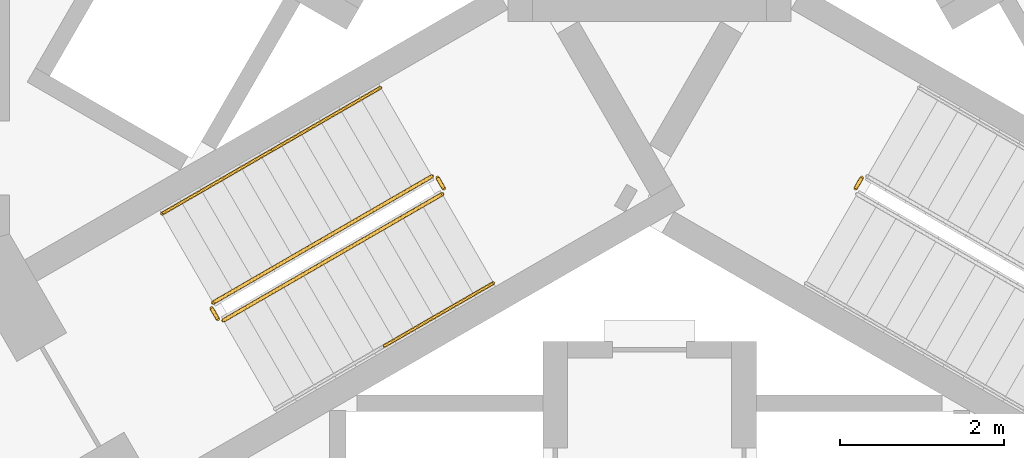
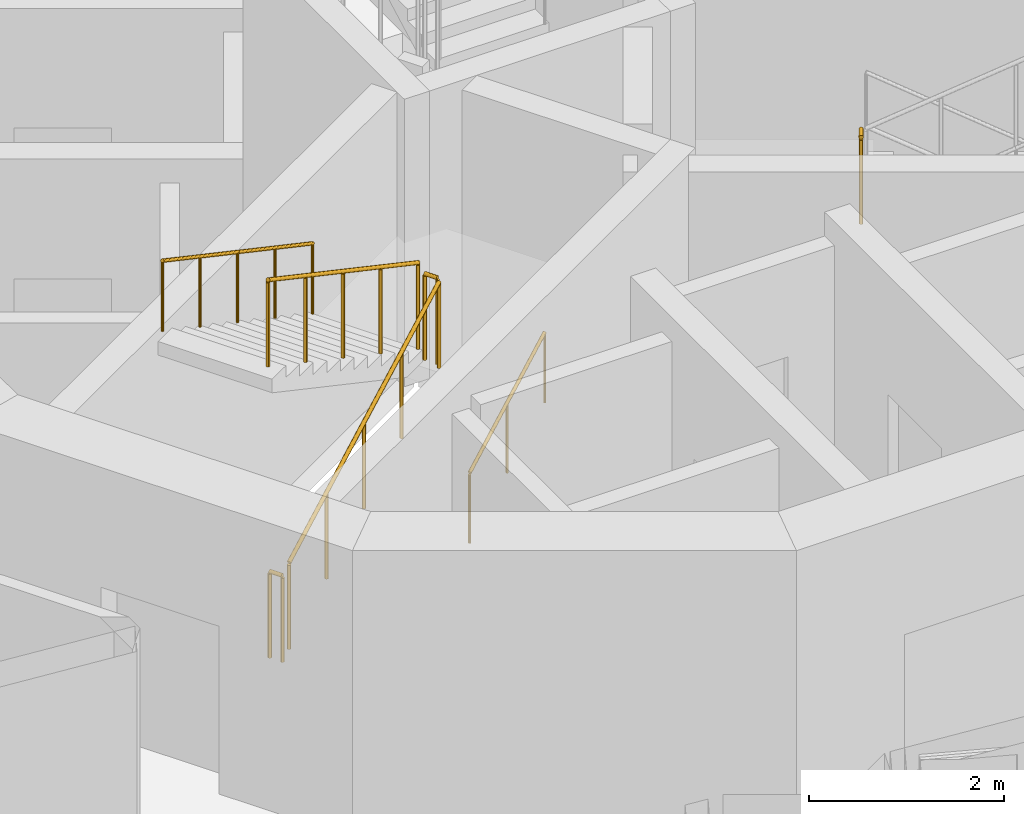
# One storey, part 11 of 16: 8 railings.
"""IFC4 building model written with IfcOpenShell, lengths in metres."""

from ifc_helpers import new_model, si_unit, direction, frame, origin, origin_2d, place, context, subcontext, project, spatial, circle, extrude, material, type_object, element, save


model = new_model("IFC4")

# Units and contexts
model_context = context("Model", 3, precision=1e-05, world=origin(), true_north=direction((0.0, 1.0)))
body_context = subcontext(model_context, "Body", "Model", "MODEL_VIEW")
ifc_project = project(units=[si_unit("LENGTHUNIT", "METRE"), si_unit("AREAUNIT", "SQUARE_METRE"), si_unit("VOLUMEUNIT", "CUBIC_METRE"), si_unit("PLANEANGLEUNIT", "RADIAN"), si_unit("MASSUNIT", "GRAM", prefix="KILO")], contexts=[model_context])

# Site, building, storey
site_placement = place(None, origin())
site = spatial("IfcSite", under=ifc_project, at=site_placement, CompositionType="ELEMENT")
building_placement = place(site_placement, origin())
building = spatial("IfcBuilding", under=site, at=building_placement, Name="Trine Commons Tower", CompositionType="ELEMENT")
storey_placement = place(building_placement, frame((0.0, 0.0, 205.199951171875)))
storey = spatial("IfcBuildingStorey", under=building, at=storey_placement, Name="L53", CompositionType="ELEMENT", Elevation=205.199951171875)

# Railings
ifc_material_1 = material(Name="Stainless steel balustrade", Category="steel")
railing_type_1 = type_object("IfcRailingType", Name="Stair guard, steel balustrade 1100", PredefinedType="GUARDRAIL", material=ifc_material_1)
railing_1_placement = place(storey_placement, frame((74.80517578125, 59.3564453125, 0.150146484375)))
element("IfcRailing", 1, at=railing_1_placement, inside=storey, type_object=railing_type_1, Name="L53 ST2C stair guard 1", PredefinedType="GUARDRAIL", context=body_context, shape_type="SweptSolid", body=[
    extrude(circle(Radius=0.02392578125, at=origin_2d()), frame((0.0, 0.0, 1.076171875), z_axis=(0.76340495495, 0.440743040072, 0.472184759798), x_axis=(-0.499992328818, 0.866029832698, 0.0)), (0.0, 0.0, 1.0), 3.494140625),
    extrude(circle(Radius=0.02099609375, at=origin_2d()), origin(), (0.0, 0.0, 1.0), 1.052001953125),
    extrude(circle(Radius=0.02099609375, at=origin_2d()), frame((0.6669921875, 0.385009765625, 0.41259765625)), (0.0, 0.0, 1.0), 1.052001953125),
    extrude(circle(Radius=0.02099609375, at=origin_2d()), frame((1.333740234375, 0.77001953125, 0.824951171875)), (0.0, 0.0, 1.0), 1.052001953125),
    extrude(circle(Radius=0.02099609375, at=origin_2d()), frame((2.00048828125, 1.155029296875, 1.2373046875)), (0.0, 0.0, 1.0), 1.052001953125),
    extrude(circle(Radius=0.02099609375, at=origin_2d()), frame((2.66748046875, 1.5400390625, 1.64990234375)), (0.0, 0.0, 1.0), 1.052001953125),
])
railing_2_placement = place(storey_placement, frame((77.490966796875, 60.96484375, 1.800048828125)))
element("IfcRailing", 2, at=railing_2_placement, inside=storey, type_object=railing_type_1, Name="L53 ST2C stair guard 2", PredefinedType="GUARDRAIL", context=body_context, shape_type="SweptSolid", body=[
    extrude(circle(Radius=0.02392578125, at=origin_2d()), frame((0.0, 0.0, 1.076171875), z_axis=(-0.501036270542, 0.865426285481, 0.0), x_axis=(-0.865426285481, -0.501036270542, 0.0)), (0.0, 0.0, 1.0), 0.150146484375),
    extrude(circle(Radius=0.02099609375, at=origin_2d()), origin(), (0.0, 0.0, 1.0), 1.052001953125),
    extrude(circle(Radius=0.02099609375, at=origin_2d()), frame((-0.0751953125, 0.1298828125, 0.0)), (0.0, 0.0, 1.0), 1.052001953125),
])
railing_3_placement = place(storey_placement, frame((77.34765625, 61.113037109375, 1.949951171875)))
element("IfcRailing", 3, at=railing_3_placement, inside=storey, type_object=railing_type_1, Name="L53 ST2C stair guard 3", PredefinedType="GUARDRAIL", context=body_context, shape_type="SweptSolid", body=[
    extrude(circle(Radius=0.02392578125, at=origin_2d()), frame((0.0, 0.0, 1.076171875), z_axis=(-0.763379768245, -0.440728498818, 0.472239049384), x_axis=(0.499992328818, -0.866029832698, 0.0)), (0.0, 0.0, 1.0), 3.494384765625),
    extrude(circle(Radius=0.02099609375, at=origin_2d()), origin(), (0.0, 0.0, 1.0), 1.052001953125),
    extrude(circle(Radius=0.02099609375, at=origin_2d()), frame((-0.6669921875, -0.385009765625, 0.41259765625)), (0.0, 0.0, 1.0), 1.052001953125),
    extrude(circle(Radius=0.02099609375, at=origin_2d()), frame((-1.333740234375, -0.77001953125, 0.8251953125)), (0.0, 0.0, 1.0), 1.052001953125),
    extrude(circle(Radius=0.02099609375, at=origin_2d()), frame((-2.00048828125, -1.155029296875, 1.237548828125)), (0.0, 0.0, 1.0), 1.052001953125),
    extrude(circle(Radius=0.02099609375, at=origin_2d()), frame((-2.66748046875, -1.5400390625, 1.650146484375)), (0.0, 0.0, 1.0), 1.052001953125),
])
railing_4_placement = place(storey_placement, frame((74.73681640625, 59.374755859375, 0.0)))
element("IfcRailing", 4, at=railing_4_placement, inside=storey, type_object=railing_type_1, Name="L53 ST2C stair guard 4", PredefinedType="GUARDRAIL", context=body_context, shape_type="SweptSolid", body=[
    extrude(circle(Radius=0.02392578125, at=origin_2d()), frame((0.0, 0.0, 1.076171875), z_axis=(-0.499816412211, 0.866131372301, 0.0), x_axis=(-0.866131372301, -0.499816412211, 0.0)), (0.0, 0.0, 1.0), 0.14990234375),
    extrude(circle(Radius=0.02099609375, at=origin_2d()), origin(), (0.0, 0.0, 1.0), 1.052001953125),
    extrude(circle(Radius=0.02099609375, at=origin_2d()), frame((-0.074951171875, 0.1298828125, 0.0)), (0.0, 0.0, 1.0), 1.052001953125),
])
railing_5_placement = place(storey_placement, frame((82.584228515625, 61.0947265625, 1.800048828125)))
element("IfcRailing", 5, at=railing_5_placement, inside=storey, type_object=railing_type_1, Name="L53 ST3C stair guard 2", PredefinedType="GUARDRAIL", context=body_context, shape_type="SweptSolid", body=[
    extrude(circle(Radius=0.02392578125, at=origin_2d()), frame((0.0, 0.0, 1.076171875), z_axis=(-0.501036270542, -0.865426285481, 0.0), x_axis=(0.865426285481, -0.501036270542, 0.0)), (0.0, 0.0, 1.0), 0.150146484375),
    extrude(circle(Radius=0.02099609375, at=origin_2d()), origin(), (0.0, 0.0, 1.0), 1.052001953125),
    extrude(circle(Radius=0.02099609375, at=origin_2d()), frame((-0.0751953125, -0.1298828125, 0.0)), (0.0, 0.0, 1.0), 1.052001953125),
])
ifc_material_2 = material(Name="Stainless steel handrail", Category="steel")
railing_type_2 = type_object("IfcRailingType", Name="Stair handrail, steel 900", PredefinedType="HANDRAIL", material=ifc_material_2)
railing_6_placement = place(storey_placement, frame((76.763916015625, 59.0439453125, 0.97509765625)))
element("IfcRailing", 6, at=railing_6_placement, inside=storey, type_object=railing_type_2, Name="L53 ST2C stair handrail 2", PredefinedType="HANDRAIL", context=body_context, shape_type="SweptSolid", body=[
    extrude(circle(Radius=0.02099609375, at=origin_2d()), frame((0.0, 0.0, 0.87890625), z_axis=(0.76340495495, 0.440743040072, 0.472184759798), x_axis=(-0.499992328818, 0.866029832698, 0.0)), (0.0, 0.0, 1.0), 1.7470703125),
    extrude(circle(Radius=0.01513671875, at=origin_2d()), origin(), (0.0, 0.0, 1.0), 0.85791015625),
    extrude(circle(Radius=0.01513671875, at=origin_2d()), frame((0.6669921875, 0.385009765625, 0.41259765625)), (0.0, 0.0, 1.0), 0.85791015625),
    extrude(circle(Radius=0.01513671875, at=origin_2d()), frame((1.333740234375, 0.77001953125, 0.824951171875)), (0.0, 0.0, 1.0), 0.85791015625),
])
railing_7_placement = place(storey_placement, frame((76.72265625, 62.195556640625, 1.949951171875)))
element("IfcRailing", 7, at=railing_7_placement, inside=storey, type_object=railing_type_2, Name="L53 ST2C stair handrail 3", PredefinedType="HANDRAIL", context=body_context, shape_type="SweptSolid", body=[
    extrude(circle(Radius=0.02099609375, at=origin_2d()), frame((0.0, 0.0, 0.87890625), z_axis=(-0.763354580307, -0.440713956853, 0.472293333596), x_axis=(0.499992328818, -0.866029832698, 0.0)), (0.0, 0.0, 1.0), 1.747314453125),
    extrude(circle(Radius=0.01513671875, at=origin_2d()), origin(), (0.0, 0.0, 1.0), 0.85791015625),
    extrude(circle(Radius=0.01513671875, at=origin_2d()), frame((-0.6669921875, -0.385009765625, 0.41259765625)), (0.0, 0.0, 1.0), 0.85791015625),
    extrude(circle(Radius=0.01513671875, at=origin_2d()), frame((-1.333740234375, -0.77001953125, 0.8251953125)), (0.0, 0.0, 1.0), 0.85791015625),
])
railing_8_placement = place(storey_placement, frame((75.388916015625, 61.425537109375, 2.775146484375)))
element("IfcRailing", 8, at=railing_8_placement, inside=storey, type_object=railing_type_2, Name="L53 ST2C stair handrail 4", PredefinedType="HANDRAIL", context=body_context, shape_type="SweptSolid", body=[
    extrude(circle(Radius=0.02099609375, at=origin_2d()), frame((0.0, 0.0, 0.87890625), z_axis=(-0.76340495495, -0.440743040072, 0.472184759798), x_axis=(0.499992328818, -0.866029832698, 0.0)), (0.0, 0.0, 1.0), 1.7470703125),
    extrude(circle(Radius=0.01513671875, at=origin_2d()), origin(), (0.0, 0.0, 1.0), 0.85791015625),
    extrude(circle(Radius=0.01513671875, at=origin_2d()), frame((-0.6669921875, -0.385009765625, 0.41259765625)), (0.0, 0.0, 1.0), 0.85791015625),
    extrude(circle(Radius=0.01513671875, at=origin_2d()), frame((-1.333740234375, -0.77001953125, 0.824951171875)), (0.0, 0.0, 1.0), 0.85791015625),
])

save(model, "model.ifc")
